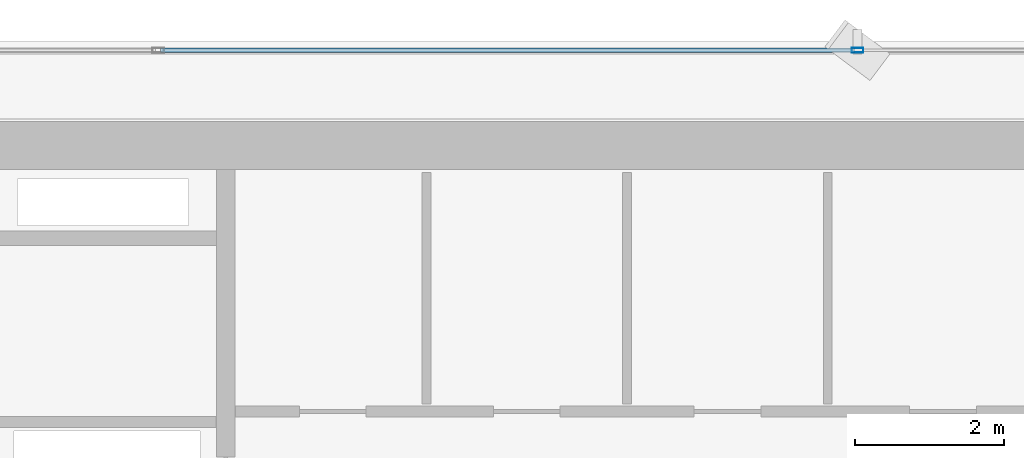
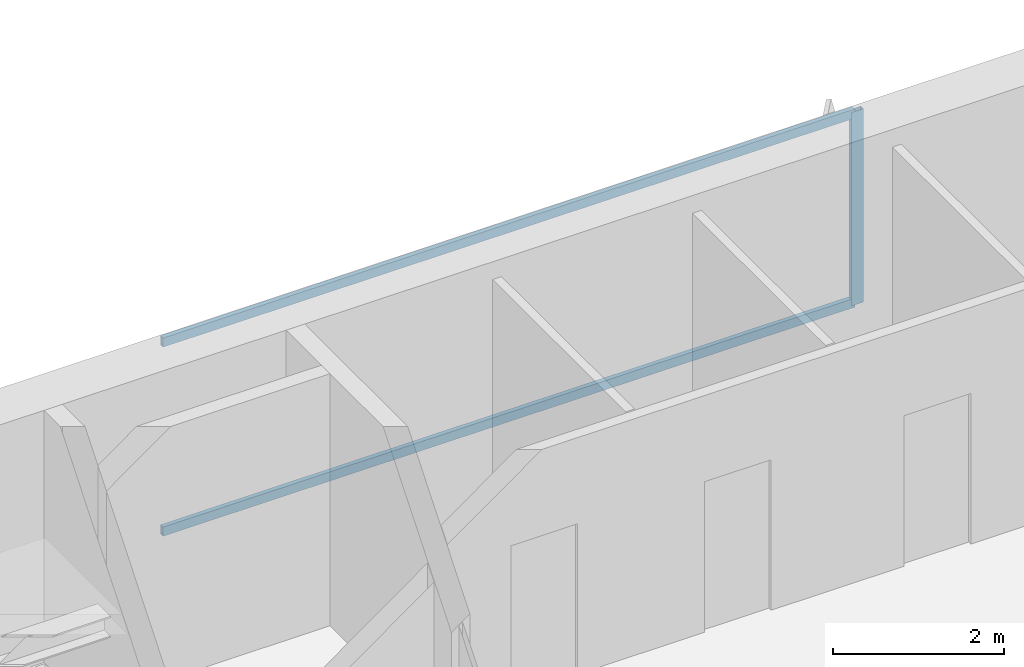
# One storey, part 16 of 27: 3 members, 1 element without a shape of its own.
"""IFC4 building model written with IfcOpenShell, lengths in metres."""

from ifc_helpers import new_model, si_unit, direction, frame, origin, origin_2d, place, context, subcontext, project, spatial, hollow_rectangle, extrude, source, transform, mapped, material, layer, layer_set, material_profile, profile_set, type_object, element, aggregate, save


model = new_model("IFC4")

# Units and contexts
model_context = context("Model", 3, precision=1e-05, world=origin(), true_north=direction((0.0, 1.0)))
body_context = subcontext(model_context, "Body", "Model", "MODEL_VIEW")
ifc_project = project(units=[si_unit("LENGTHUNIT", "METRE"), si_unit("AREAUNIT", "SQUARE_METRE"), si_unit("VOLUMEUNIT", "CUBIC_METRE"), si_unit("PLANEANGLEUNIT", "RADIAN"), si_unit("MASSUNIT", "GRAM", prefix="KILO")], contexts=[model_context])

# Site, building, storey
site_placement = place(None, origin())
site = spatial("IfcSite", under=ifc_project, at=site_placement, CompositionType="ELEMENT")
building_placement = place(site_placement, origin())
building = spatial("IfcBuilding", under=site, at=building_placement, Name="Sumidabori Civic Tower", CompositionType="ELEMENT")
storey_placement = place(building_placement, frame((0.0, 0.0, 142.39990234375)))
storey = spatial("IfcBuildingStorey", under=building, at=storey_placement, Name="L36", CompositionType="ELEMENT", Elevation=142.39990234375)

# Curtain wall, members
ifc_material = material(Name="Anodised Bronze Aluminium AW-6063-T6", Category="aluminium")
ifc_layer = layer(ifc_material, 0.179931640625, Name="Anodised Bronze Aluminium AW-6063-T6")
ifc_layer_set = layer_set([ifc_layer], Name="Anodised Bronze Aluminium AW-6063-T6")
curtain_wall_type = type_object("IfcCurtainWallType", Name="CW-SYS-3", PredefinedType="NOTDEFINED", material=ifc_layer_set)
curtain_wall_placement = place(storey_placement, origin())
curtain_wall = element("IfcCurtainWall", 1, at=curtain_wall_placement, inside=storey, type_object=curtain_wall_type, Name="Curtain Wall CW:L36:R07", PredefinedType="NOTDEFINED")
ifc_material_profile_1 = material_profile(ifc_material, hollow_rectangle(XDim=0.06494140625, YDim=0.159912109375, WallThickness=0.0048828125, at=origin_2d()), Name="ALU MULLION 160x65")
ifc_profile_set_1 = profile_set([ifc_material_profile_1], Name="Anodised Bronze Aluminium AW-6063-T6")
member_type_1 = type_object("IfcMemberType", Name="CW-MUL-160", PredefinedType="MULLION", material=ifc_profile_set_1)
shared_shape_1 = source(origin(), body_context, "Body", "SweptSolid", [
    extrude(hollow_rectangle(XDim=0.06494140625, YDim=0.159912109375, WallThickness=0.0048828125, at=origin_2d()), origin(), (0.0, 0.0, 1.0), 2.760009765625),
])
member_1_placement = place(storey_placement, frame((0.0, 25.080078125, 0.0), z_axis=(0.0, 0.0, 1.0), x_axis=(0.0, -1.0, 0.0)))
member_1 = element("IfcMember", 2, at=member_1_placement, type_object=member_type_1, Name="CW-3 mullion 3", PredefinedType="MULLION", context=body_context, shape_type="MappedRepresentation", body=[
    mapped(shared_shape_1, transform((0.0, 0.0, 0.0), x_axis=(1.0, 0.0, 0.0), y_axis=(0.0, 1.0, 0.0), z_axis=(0.0, 0.0, 1.0), scale=1.0)),
])
ifc_material_profile_2 = material_profile(ifc_material, hollow_rectangle(XDim=0.06005859375, YDim=0.1298828125, WallThickness=0.0048828125, at=origin_2d()), Name="ALU TRANSOM 130x60")
ifc_profile_set_2 = profile_set([ifc_material_profile_2], Name="Anodised Bronze Aluminium AW-6063-T6")
member_type_2 = type_object("IfcMemberType", Name="CW-TRN-130", PredefinedType="USERDEFINED", material=ifc_profile_set_2)
shared_shape_2 = source(origin(), body_context, "Body", "SweptSolid", [
    extrude(hollow_rectangle(XDim=0.06005859375, YDim=0.1298828125, WallThickness=0.0048828125, at=origin_2d()), origin(), (0.0, 0.0, 1.0), 9.344970703125),
])
member_2_placement = place(storey_placement, frame((-0.032470703125, 25.080078125, 0.030029296875), z_axis=(-1.0, 0.0, 0.0), x_axis=(0.0, -1.0, 0.0)))
member_2 = element("IfcMember", 3, at=member_2_placement, type_object=member_type_2, Name="CW-3 transom 3.1", ObjectType="TRANSOM", PredefinedType="USERDEFINED", context=body_context, shape_type="MappedRepresentation", body=[
    mapped(shared_shape_2, transform((0.0, 0.0, 0.0), x_axis=(1.0, 0.0, 0.0), y_axis=(0.0, 1.0, 0.0), z_axis=(0.0, 0.0, 1.0), scale=1.0)),
])
member_3_placement = place(storey_placement, frame((-0.032470703125, 25.080078125, 2.72998046875), z_axis=(-1.0, 0.0, 0.0), x_axis=(0.0, -1.0, 0.0)))
member_3 = element("IfcMember", 4, at=member_3_placement, type_object=member_type_2, Name="CW-3 transom 3.2", ObjectType="TRANSOM", PredefinedType="USERDEFINED", context=body_context, shape_type="MappedRepresentation", body=[
    mapped(shared_shape_2, transform((0.0, 0.0, 0.0), x_axis=(1.0, 0.0, 0.0), y_axis=(0.0, 1.0, 0.0), z_axis=(0.0, 0.0, 1.0), scale=1.0)),
])
aggregate(curtain_wall, [member_1, member_2, member_3])

save(model, "model.ifc")
